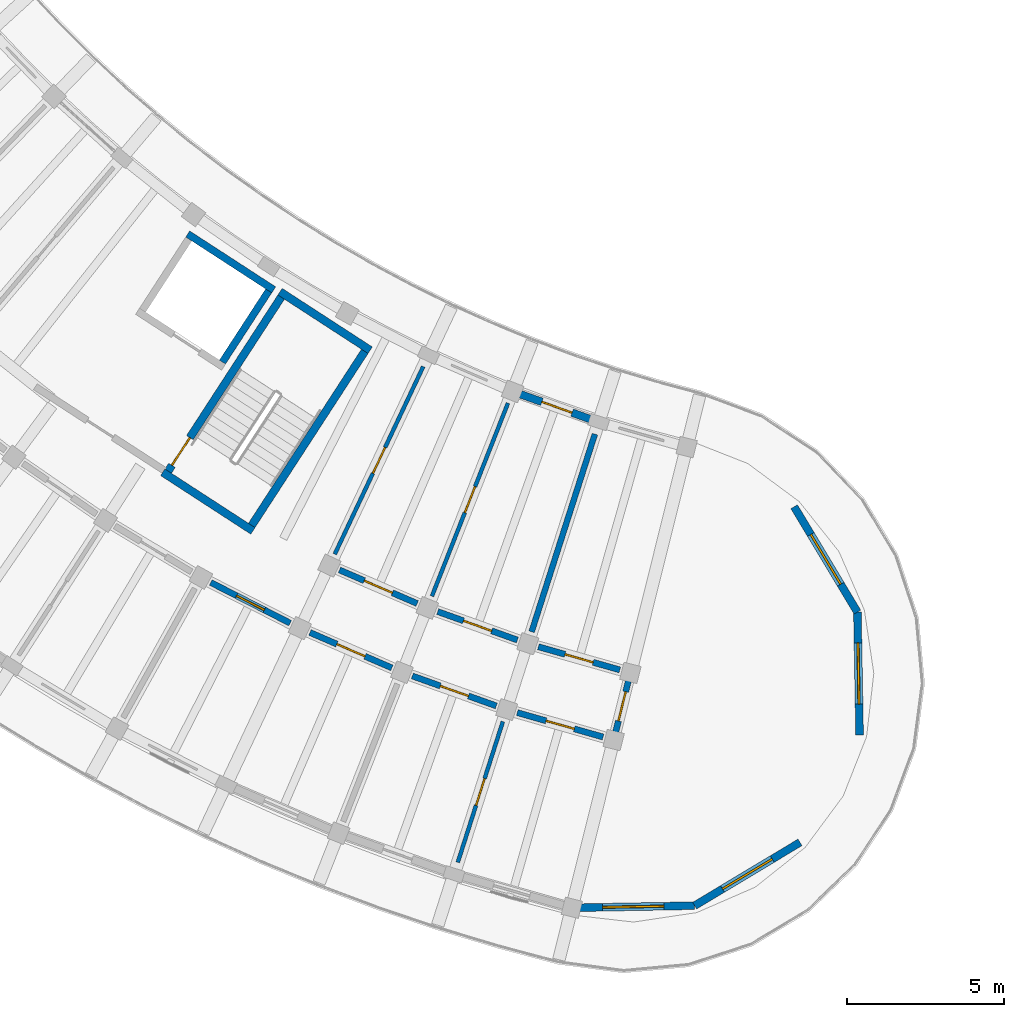
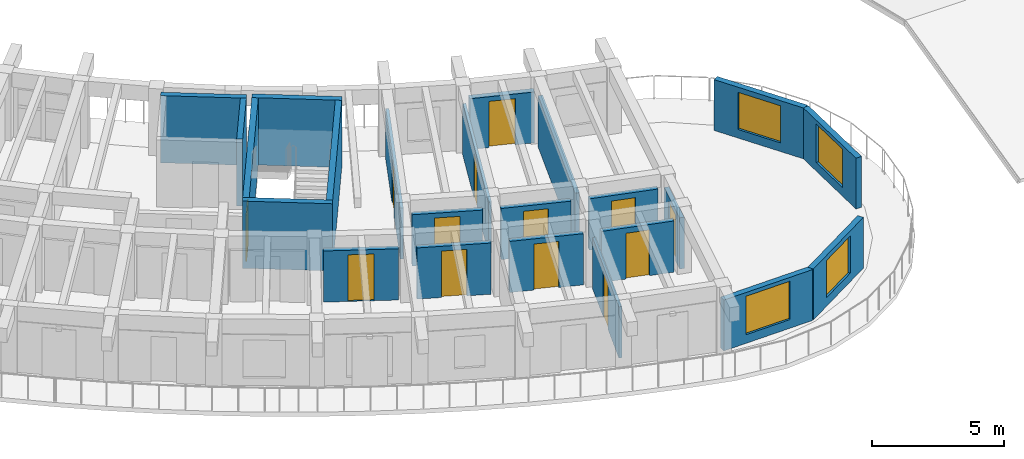
# One storey, part 42 of 81: 23 walls, 13 doors, 4 windows, 17 openings.
"""IFC4 building model written with IfcOpenShell, lengths in metres."""

from ifc_helpers import new_model, si_unit, direction, frame, frame_2d, origin, place, context, subcontext, project, spatial, rectangle, extrude, material, layer, layer_set, type_object, element, fill, save


model = new_model("IFC4")

# Units and contexts
model_context = context("Model", 3, precision=1e-05, world=origin(), true_north=direction((0.0, 1.0)))
body_context = subcontext(model_context, "Body", "Model", "MODEL_VIEW")
ifc_project = project(units=[si_unit("LENGTHUNIT", "METRE"), si_unit("AREAUNIT", "SQUARE_METRE"), si_unit("VOLUMEUNIT", "CUBIC_METRE"), si_unit("PLANEANGLEUNIT", "RADIAN"), si_unit("MASSUNIT", "GRAM", prefix="KILO")], contexts=[model_context])

# Site, building, storey
site_placement = place(None, origin())
site = spatial("IfcSite", under=ifc_project, at=site_placement, CompositionType="ELEMENT")
building_placement = place(site_placement, origin())
building = spatial("IfcBuilding", under=site, at=building_placement, Name="Tanwirah Colonnade Gardens", CompositionType="ELEMENT")
storey_placement = place(building_placement, frame((0.0, 0.0, 8.840087890625)))
storey = spatial("IfcBuildingStorey", under=building, at=storey_placement, Name="L02", CompositionType="ELEMENT", Elevation=8.840087890625)

# Wall, opening, door
ifc_material_1 = material(Name="Limestone architectural precast concrete C40/50", Category="masonry")
ifc_layer_1 = layer(ifc_material_1, 0.2451171875)
ifc_layer_set_1 = layer_set([ifc_layer_1], Name="Limestone architectural precast concrete C40/50")
wall_type_1 = type_object("IfcWallType", Name="EW-PC245", PredefinedType="SOLIDWALL", material=ifc_layer_set_1)
wall_1_placement = place(storey_placement, frame((48.944580078125, 23.05908203125, 0.0), z_axis=(0.0, 0.0, 1.0), x_axis=(0.941892135469, -0.33591547321, 0.0)))
wall_1 = element("IfcWall", 1, at=wall_1_placement, inside=storey, type_object=wall_type_1, Name="Block C L02 IN Precast Facade Wall 14", PredefinedType="SOLIDWALL", context=body_context, shape_type="SweptSolid", body=[
    extrude(rectangle(XDim=2.498779296875, YDim=0.2451171875, at=frame_2d((1.24951171875, 0.0))), origin(), (0.0, 0.0, 1.0), 2.35498046875),
])
opening_1_placement = place(wall_1_placement, frame((0.739501953125, 0.0, 0.0)))
opening_1 = element("IfcOpeningElement", 2, at=opening_1_placement, cuts=wall_1, Name="Opening L02-ED137", PredefinedType="OPENING", context=body_context, shape_type="SweptSolid", body=[
    extrude(rectangle(XDim=1.02001953125, YDim=2.139892578125, at=frame_2d((0.510009765625, 1.06982421875))), frame((0.0, 0.132568359375, 0.0), z_axis=(0.0, -1.0, 0.0), x_axis=(1.0, 0.0, 0.0)), (0.0, 0.0, 1.0), 0.26513671875),
])
ifc_material_2 = material(Name="Bronze aluminium glazed balcony door", Category="aluminium")
door_type_1 = type_object("IfcDoorType", Name="ED-BAL102", OperationType="NOTDEFINED", PredefinedType="DOOR", material=ifc_material_2)
door_1_placement = place(opening_1_placement, origin())
door_1 = element("IfcDoor", 3, at=door_1_placement, inside=storey, type_object=door_type_1, Name="Balcony glazed door L02-ED137", OperationType="SINGLE_SWING_LEFT", OverallHeight=2.139892578125, OverallWidth=1.02001953125, PredefinedType="DOOR", context=body_context, shape_type="SweptSolid", body=[
    extrude(rectangle(XDim=1.02001953125, YDim=2.139892578125, at=frame_2d((0.510009765625, 1.06982421875))), frame((0.0, 0.02490234375, 0.0), z_axis=(0.0, -1.0, 0.0), x_axis=(1.0, 0.0, 0.0)), (0.0, 0.0, 1.0), 0.050048828125),
])
fill(opening_1, door_1)

# Wall, opening, window
wall_2_placement = place(storey_placement, frame((57.664794921875, 19.4755859375, 0.0), z_axis=(0.0, 0.0, 1.0), x_axis=(0.515019321998, -0.857178568309, 0.0)))
wall_2 = element("IfcWall", 4, at=wall_2_placement, inside=storey, type_object=wall_type_1, Name="Block C L02 END Rounded End Wall 1", PredefinedType="SOLIDWALL", context=body_context, shape_type="SweptSolid", body=[
    extrude(rectangle(XDim=3.907958984375, YDim=0.2451171875, at=frame_2d((1.9541015625, 0.0))), origin(), (0.0, 0.0, 1.0), 2.35498046875),
])
opening_2_placement = place(wall_2_placement, frame((1.029052734375, 0.0, 0.39990234375)))
opening_2 = element("IfcOpeningElement", 5, at=opening_2_placement, cuts=wall_2, Name="Opening WIN-END1", PredefinedType="OPENING", context=body_context, shape_type="SweptSolid", body=[
    extrude(rectangle(XDim=1.85009765625, YDim=1.719970703125, at=frame_2d((0.925048828125, 0.85986328125))), frame((0.0, 0.132568359375, 0.0), z_axis=(0.0, -1.0, 0.0), x_axis=(1.0, 0.0, 0.0)), (0.0, 0.0, 1.0), 0.26513671875),
])
ifc_material_3 = material(Name="Thermally broken bronze aluminium and solar low-E double glazing", Category="aluminium")
window_type_1 = type_object("IfcWindowType", Name="WIN-END1", PartitioningType="TRIPLE_PANEL_VERTICAL", PredefinedType="WINDOW", material=ifc_material_3)
window_1_placement = place(opening_2_placement, origin())
window_1 = element("IfcWindow", 6, at=window_1_placement, inside=storey, type_object=window_type_1, Name="Rounded corner window C-L02-END-1", OverallHeight=1.719970703125, OverallWidth=1.85009765625, PartitioningType="SINGLE_PANEL", PredefinedType="WINDOW", context=body_context, shape_type="SweptSolid", body=[
    extrude(rectangle(XDim=1.85009765625, YDim=1.719970703125, at=frame_2d((0.925048828125, 0.85986328125))), frame((0.0, 0.030029296875, 0.0), z_axis=(0.0, -1.0, 0.0), x_axis=(1.0, 0.0, 0.0)), (0.0, 0.0, 1.0), 0.06005859375),
])
fill(opening_2, window_1)

wall_3_placement = place(storey_placement, frame((59.677490234375, 16.125732421875, 0.0), z_axis=(0.0, 0.0, 1.0), x_axis=(0.017490763899, -0.999847024888, 0.0)))
wall_3 = element("IfcWall", 7, at=wall_3_placement, inside=storey, type_object=wall_type_1, Name="Block C L02 END Rounded End Wall 2", PredefinedType="SOLIDWALL", context=body_context, shape_type="SweptSolid", body=[
    extrude(rectangle(XDim=3.908203125, YDim=0.2451171875, at=frame_2d((1.9541015625, 0.0))), origin(), (0.0, 0.0, 1.0), 2.35498046875),
])
opening_3_placement = place(wall_3_placement, frame((0.97900390625, 0.0, 0.39990234375)))
opening_3 = element("IfcOpeningElement", 8, at=opening_3_placement, cuts=wall_3, Name="Opening WIN-END2", PredefinedType="OPENING", context=body_context, shape_type="SweptSolid", body=[
    extrude(rectangle(XDim=1.949951171875, YDim=1.780029296875, at=frame_2d((0.97509765625, 0.89013671875))), frame((0.0, 0.132568359375, 0.0), z_axis=(0.0, -1.0, 0.0), x_axis=(1.0, 0.0, 0.0)), (0.0, 0.0, 1.0), 0.26513671875),
])
window_type_2 = type_object("IfcWindowType", Name="WIN-END2", PartitioningType="TRIPLE_PANEL_VERTICAL", PredefinedType="WINDOW", material=ifc_material_3)
window_2_placement = place(opening_3_placement, origin())
window_2 = element("IfcWindow", 9, at=window_2_placement, inside=storey, type_object=window_type_2, Name="Rounded corner window C-L02-END-2", OverallHeight=1.780029296875, OverallWidth=1.949951171875, PartitioningType="SINGLE_PANEL", PredefinedType="WINDOW", context=body_context, shape_type="SweptSolid", body=[
    extrude(rectangle(XDim=1.949951171875, YDim=1.780029296875, at=frame_2d((0.97509765625, 0.89013671875))), frame((0.0, 0.030029296875, 0.0), z_axis=(0.0, -1.0, 0.0), x_axis=(1.0, 0.0, 0.0)), (0.0, 0.0, 1.0), 0.06005859375),
])
fill(opening_3, window_2)

wall_4_placement = place(storey_placement, frame((57.85107421875, 8.800048828125, 0.0), z_axis=(0.0, 0.0, 1.0), x_axis=(-0.85715098885, -0.515065221417, 0.0)))
wall_4 = element("IfcWall", 10, at=wall_4_placement, inside=storey, type_object=wall_type_1, Name="Block C L02 END Rounded End Wall 4", PredefinedType="SOLIDWALL", context=body_context, shape_type="SweptSolid", body=[
    extrude(rectangle(XDim=3.908203125, YDim=0.2451171875, at=frame_2d((1.9541015625, 0.0))), origin(), (0.0, 0.0, 1.0), 2.35498046875),
])
opening_4_placement = place(wall_4_placement, frame((1.029052734375, 0.0, 0.39990234375)))
opening_4 = element("IfcOpeningElement", 11, at=opening_4_placement, cuts=wall_4, Name="Opening WIN-END1", PredefinedType="OPENING", context=body_context, shape_type="SweptSolid", body=[
    extrude(rectangle(XDim=1.85009765625, YDim=1.719970703125, at=frame_2d((0.925048828125, 0.85986328125))), frame((0.0, 0.132568359375, 0.0), z_axis=(0.0, -1.0, 0.0), x_axis=(1.0, 0.0, 0.0)), (0.0, 0.0, 1.0), 0.26513671875),
])
window_3_placement = place(opening_4_placement, origin())
window_3 = element("IfcWindow", 12, at=window_3_placement, inside=storey, type_object=window_type_1, Name="Rounded corner window C-L02-END-4", OverallHeight=1.719970703125, OverallWidth=1.85009765625, PartitioningType="SINGLE_PANEL", PredefinedType="WINDOW", context=body_context, shape_type="SweptSolid", body=[
    extrude(rectangle(XDim=1.85009765625, YDim=1.719970703125, at=frame_2d((0.925048828125, 0.85986328125))), frame((0.0, 0.030029296875, 0.0), z_axis=(0.0, -1.0, 0.0), x_axis=(1.0, 0.0, 0.0)), (0.0, 0.0, 1.0), 0.06005859375),
])
fill(opening_4, window_3)

wall_5_placement = place(storey_placement, frame((54.501220703125, 6.787109375, 0.0), z_axis=(0.0, 0.0, 1.0), x_axis=(-0.999848115368, -0.017428315893, 0.0)))
wall_5 = element("IfcWall", 13, at=wall_5_placement, inside=storey, type_object=wall_type_1, Name="Block C L02 END Rounded End Wall 5", PredefinedType="SOLIDWALL", context=body_context, shape_type="SweptSolid", body=[
    extrude(rectangle(XDim=3.908203125, YDim=0.2451171875, at=frame_2d((1.9541015625, 0.0))), origin(), (0.0, 0.0, 1.0), 2.35498046875),
])
opening_5_placement = place(wall_5_placement, frame((0.97900390625, 0.0, 0.39990234375)))
opening_5 = element("IfcOpeningElement", 14, at=opening_5_placement, cuts=wall_5, Name="Opening WIN-END2", PredefinedType="OPENING", context=body_context, shape_type="SweptSolid", body=[
    extrude(rectangle(XDim=1.949951171875, YDim=1.780029296875, at=frame_2d((0.97509765625, 0.89013671875))), frame((0.0, 0.132568359375, 0.0), z_axis=(0.0, -1.0, 0.0), x_axis=(1.0, 0.0, 0.0)), (0.0, 0.0, 1.0), 0.26513671875),
])
window_4_placement = place(opening_5_placement, origin())
window_4 = element("IfcWindow", 15, at=window_4_placement, inside=storey, type_object=window_type_2, Name="Rounded corner window C-L02-END-5", OverallHeight=1.780029296875, OverallWidth=1.949951171875, PartitioningType="SINGLE_PANEL", PredefinedType="WINDOW", context=body_context, shape_type="SweptSolid", body=[
    extrude(rectangle(XDim=1.949951171875, YDim=1.780029296875, at=frame_2d((0.97509765625, 0.89013671875))), frame((0.0, 0.030029296875, 0.0), z_axis=(0.0, -1.0, 0.0), x_axis=(1.0, 0.0, 0.0)), (0.0, 0.0, 1.0), 0.06005859375),
])
fill(opening_5, window_4)

# Wall, opening, door
ifc_material_4 = material(Name="Precast concrete C40/50", Category="concrete")
ifc_layer_2 = layer(ifc_material_4, 0.195068359375)
ifc_layer_set_2 = layer_set([ifc_layer_2], Name="Precast concrete C40/50")
wall_type_2 = type_object("IfcWallType", Name="IW-CORR195", PredefinedType="PARTITIONING", material=ifc_layer_set_2)
wall_6_placement = place(storey_placement, frame((39.107421875, 17.067138671875, 0.0), z_axis=(0.0, 0.0, 1.0), x_axis=(0.890030590607, -0.45590080915, 0.0)))
wall_6 = element("IfcWall", 16, at=wall_6_placement, inside=storey, type_object=wall_type_2, Name="Block C L02 OUT Corridor Wall 12", PredefinedType="PARTITIONING", context=body_context, shape_type="SweptSolid", body=[
    extrude(rectangle(XDim=2.837158203125, YDim=0.195068359375, at=frame_2d((1.41845703125, 0.0))), origin(), (0.0, 0.0, 1.0), 2.369873046875),
])
opening_6_placement = place(wall_6_placement, frame((0.923583984375, 0.0, 0.0)))
opening_6 = element("IfcOpeningElement", 17, at=opening_6_placement, cuts=wall_6, Name="Opening L02-AD1379", PredefinedType="OPENING", context=body_context, shape_type="SweptSolid", body=[
    extrude(rectangle(XDim=0.989990234375, YDim=2.159912109375, at=frame_2d((0.4951171875, 1.080078125))), frame((0.0, 0.107421875, 0.0), z_axis=(0.0, -1.0, 0.0), x_axis=(1.0, 0.0, 0.0)), (0.0, 0.0, 1.0), 0.215087890625),
])
ifc_material_5 = material(Name="Solid oak fire-resisting apartment entrance door")
door_type_2 = type_object("IfcDoorType", Name="ID-FLT099", OperationType="NOTDEFINED", PredefinedType="DOOR", material=ifc_material_5)
door_2_placement = place(opening_6_placement, origin())
door_2 = element("IfcDoor", 18, at=door_2_placement, inside=storey, type_object=door_type_2, Name="Apartment corridor door L02-AD1379", OperationType="SINGLE_SWING_LEFT", OverallHeight=2.159912109375, OverallWidth=0.989990234375, PredefinedType="DOOR", context=body_context, shape_type="SweptSolid", body=[
    extrude(rectangle(XDim=0.989990234375, YDim=2.159912109375, at=frame_2d((0.4951171875, 1.080078125))), frame((0.0, 0.02490234375, 0.0), z_axis=(0.0, -1.0, 0.0), x_axis=(1.0, 0.0, 0.0)), (0.0, 0.0, 1.0), 0.050048828125),
])
fill(opening_6, door_2)

wall_7_placement = place(storey_placement, frame((42.26513671875, 15.475341796875, 0.0), z_axis=(0.0, 0.0, 1.0), x_axis=(0.917943439406, -0.396711282991, 0.0)))
wall_7 = element("IfcWall", 19, at=wall_7_placement, inside=storey, type_object=wall_type_2, Name="Block C L02 OUT Corridor Wall 13", PredefinedType="PARTITIONING", context=body_context, shape_type="SweptSolid", body=[
    extrude(rectangle(XDim=2.837158203125, YDim=0.195068359375, at=frame_2d((1.41845703125, 0.0))), origin(), (0.0, 0.0, 1.0), 2.369873046875),
])
opening_7_placement = place(wall_7_placement, frame((0.93359375, 0.0, 0.0)))
opening_7 = element("IfcOpeningElement", 20, at=opening_7_placement, cuts=wall_7, Name="Opening L02-AD1381", PredefinedType="OPENING", context=body_context, shape_type="SweptSolid", body=[
    extrude(rectangle(XDim=0.969970703125, YDim=2.14990234375, at=frame_2d((0.48486328125, 1.074951171875))), frame((0.0, 0.107421875, 0.0), z_axis=(0.0, -1.0, 0.0), x_axis=(1.0, 0.0, 0.0)), (0.0, 0.0, 1.0), 0.215087890625),
])
door_type_3 = type_object("IfcDoorType", Name="ID-FLT097", OperationType="NOTDEFINED", PredefinedType="DOOR", material=ifc_material_5)
door_3_placement = place(opening_7_placement, origin())
door_3 = element("IfcDoor", 21, at=door_3_placement, inside=storey, type_object=door_type_3, Name="Apartment corridor door L02-AD1381", OperationType="SINGLE_SWING_RIGHT", OverallHeight=2.14990234375, OverallWidth=0.969970703125, PredefinedType="DOOR", context=body_context, shape_type="SweptSolid", body=[
    extrude(rectangle(XDim=0.969970703125, YDim=2.14990234375, at=frame_2d((0.48486328125, 1.074951171875))), frame((0.0, 0.02490234375, 0.0), z_axis=(0.0, -1.0, 0.0), x_axis=(1.0, 0.0, 0.0)), (0.0, 0.0, 1.0), 0.050048828125),
])
fill(opening_7, door_3)

wall_8_placement = place(storey_placement, frame((43.20361328125, 17.465087890625, 0.0), z_axis=(0.0, 0.0, 1.0), x_axis=(0.91793557165, -0.39672948756, 0.0)))
wall_8 = element("IfcWall", 22, at=wall_8_placement, inside=storey, type_object=wall_type_2, Name="Block C L02 IN Corridor Wall 13", PredefinedType="PARTITIONING", context=body_context, shape_type="SweptSolid", body=[
    extrude(rectangle(XDim=2.69287109375, YDim=0.195068359375, at=frame_2d((1.346435546875, 0.0))), origin(), (0.0, 0.0, 1.0), 2.369873046875),
])
opening_8_placement = place(wall_8_placement, frame((0.861572265625, 0.0, 0.0)))
opening_8 = element("IfcOpeningElement", 23, at=opening_8_placement, cuts=wall_8, Name="Opening L02-AD1382", PredefinedType="OPENING", context=body_context, shape_type="SweptSolid", body=[
    extrude(rectangle(XDim=0.969970703125, YDim=2.14990234375, at=frame_2d((0.48486328125, 1.074951171875))), frame((0.0, 0.107421875, 0.0), z_axis=(0.0, -1.0, 0.0), x_axis=(1.0, 0.0, 0.0)), (0.0, 0.0, 1.0), 0.215087890625),
])
door_4_placement = place(opening_8_placement, origin())
door_4 = element("IfcDoor", 24, at=door_4_placement, inside=storey, type_object=door_type_3, Name="Apartment corridor door L02-AD1382", OperationType="SINGLE_SWING_LEFT", OverallHeight=2.14990234375, OverallWidth=0.969970703125, PredefinedType="DOOR", context=body_context, shape_type="SweptSolid", body=[
    extrude(rectangle(XDim=0.969970703125, YDim=2.14990234375, at=frame_2d((0.48486328125, 1.074951171875))), frame((0.0, 0.02490234375, 0.0), z_axis=(0.0, -1.0, 0.0), x_axis=(1.0, 0.0, 0.0)), (0.0, 0.0, 1.0), 0.050048828125),
])
fill(opening_8, door_4)

wall_9_placement = place(storey_placement, frame((45.520263671875, 14.09326171875, 0.0), z_axis=(0.0, 0.0, 1.0), x_axis=(0.941930628611, -0.335807520589, 0.0)))
wall_9 = element("IfcWall", 25, at=wall_9_placement, inside=storey, type_object=wall_type_2, Name="Block C L02 OUT Corridor Wall 14", PredefinedType="PARTITIONING", context=body_context, shape_type="SweptSolid", body=[
    extrude(rectangle(XDim=2.8369140625, YDim=0.195068359375, at=frame_2d((1.41845703125, 0.0))), origin(), (0.0, 0.0, 1.0), 2.369873046875),
])
opening_9_placement = place(wall_9_placement, frame((0.943603515625, 0.0, 0.0)))
opening_9 = element("IfcOpeningElement", 26, at=opening_9_placement, cuts=wall_9, Name="Opening L02-AD1384", PredefinedType="OPENING", context=body_context, shape_type="SweptSolid", body=[
    extrude(rectangle(XDim=0.949951171875, YDim=2.1298828125, at=frame_2d((0.47509765625, 1.06494140625))), frame((0.0, 0.107421875, 0.0), z_axis=(0.0, -1.0, 0.0), x_axis=(1.0, 0.0, 0.0)), (0.0, 0.0, 1.0), 0.215087890625),
])
door_type_4 = type_object("IfcDoorType", Name="ID-FLT095", OperationType="NOTDEFINED", PredefinedType="DOOR", material=ifc_material_5)
door_5_placement = place(opening_9_placement, origin())
door_5 = element("IfcDoor", 27, at=door_5_placement, inside=storey, type_object=door_type_4, Name="Apartment corridor door L02-AD1384", OperationType="SINGLE_SWING_LEFT", OverallHeight=2.1298828125, OverallWidth=0.949951171875, PredefinedType="DOOR", context=body_context, shape_type="SweptSolid", body=[
    extrude(rectangle(XDim=0.949951171875, YDim=2.1298828125, at=frame_2d((0.47509765625, 1.06494140625))), frame((0.0, 0.02490234375, 0.0), z_axis=(0.0, -1.0, 0.0), x_axis=(1.0, 0.0, 0.0)), (0.0, 0.0, 1.0), 0.050048828125),
])
fill(opening_9, door_5)

wall_10_placement = place(storey_placement, frame((46.32666015625, 16.140380859375, 0.0), z_axis=(0.0, 0.0, 1.0), x_axis=(0.941895652647, -0.335905611036, 0.0)))
wall_10 = element("IfcWall", 28, at=wall_10_placement, inside=storey, type_object=wall_type_2, Name="Block C L02 IN Corridor Wall 14", PredefinedType="PARTITIONING", context=body_context, shape_type="SweptSolid", body=[
    extrude(rectangle(XDim=2.69287109375, YDim=0.195068359375, at=frame_2d((1.346435546875, 0.0))), origin(), (0.0, 0.0, 1.0), 2.369873046875),
])
opening_10_placement = place(wall_10_placement, frame((0.87158203125, 0.0, 0.0)))
opening_10 = element("IfcOpeningElement", 29, at=opening_10_placement, cuts=wall_10, Name="Opening L02-AD1385", PredefinedType="OPENING", context=body_context, shape_type="SweptSolid", body=[
    extrude(rectangle(XDim=0.949951171875, YDim=2.1298828125, at=frame_2d((0.47509765625, 1.06494140625))), frame((0.0, 0.107421875, 0.0), z_axis=(0.0, -1.0, 0.0), x_axis=(1.0, 0.0, 0.0)), (0.0, 0.0, 1.0), 0.215087890625),
])
door_6_placement = place(opening_10_placement, origin())
door_6 = element("IfcDoor", 30, at=door_6_placement, inside=storey, type_object=door_type_4, Name="Apartment corridor door L02-AD1385", OperationType="SINGLE_SWING_RIGHT", OverallHeight=2.1298828125, OverallWidth=0.949951171875, PredefinedType="DOOR", context=body_context, shape_type="SweptSolid", body=[
    extrude(rectangle(XDim=0.949951171875, YDim=2.1298828125, at=frame_2d((0.47509765625, 1.06494140625))), frame((0.0, 0.02490234375, 0.0), z_axis=(0.0, -1.0, 0.0), x_axis=(1.0, 0.0, 0.0)), (0.0, 0.0, 1.0), 0.050048828125),
])
fill(opening_10, door_6)

wall_11_placement = place(storey_placement, frame((48.858642578125, 12.92724609375, 0.0), z_axis=(0.0, 0.0, 1.0), x_axis=(0.961873892319, -0.273493355085, 0.0)))
wall_11 = element("IfcWall", 31, at=wall_11_placement, inside=storey, type_object=wall_type_2, Name="Block C L02 OUT Corridor Wall 15", PredefinedType="PARTITIONING", context=body_context, shape_type="SweptSolid", body=[
    extrude(rectangle(XDim=2.8369140625, YDim=0.195068359375, at=frame_2d((1.41845703125, 0.0))), origin(), (0.0, 0.0, 1.0), 2.369873046875),
])
opening_11_placement = place(wall_11_placement, frame((0.95361328125, 0.0, 0.0)))
opening_11 = element("IfcOpeningElement", 32, at=opening_11_placement, cuts=wall_11, Name="Opening L02-AD1387", PredefinedType="OPENING", context=body_context, shape_type="SweptSolid", body=[
    extrude(rectangle(XDim=0.929931640625, YDim=2.1201171875, at=frame_2d((0.46484375, 1.06005859375))), frame((0.0, 0.107421875, 0.0), z_axis=(0.0, -1.0, 0.0), x_axis=(1.0, 0.0, 0.0)), (0.0, 0.0, 1.0), 0.215087890625),
])
door_type_5 = type_object("IfcDoorType", Name="ID-FLT093", OperationType="NOTDEFINED", PredefinedType="DOOR", material=ifc_material_5)
door_7_placement = place(opening_11_placement, origin())
door_7 = element("IfcDoor", 33, at=door_7_placement, inside=storey, type_object=door_type_5, Name="Apartment corridor door L02-AD1387", OperationType="SINGLE_SWING_RIGHT", OverallHeight=2.1201171875, OverallWidth=0.929931640625, PredefinedType="DOOR", context=body_context, shape_type="SweptSolid", body=[
    extrude(rectangle(XDim=0.929931640625, YDim=2.1201171875, at=frame_2d((0.46484375, 1.06005859375))), frame((0.0, 0.02490234375, 0.0), z_axis=(0.0, -1.0, 0.0), x_axis=(1.0, 0.0, 0.0)), (0.0, 0.0, 1.0), 0.050048828125),
])
fill(opening_11, door_7)

wall_12_placement = place(storey_placement, frame((49.529541015625, 15.0224609375, 0.0), z_axis=(0.0, 0.0, 1.0), x_axis=(0.961861926514, -0.273535435224, 0.0)))
wall_12 = element("IfcWall", 34, at=wall_12_placement, inside=storey, type_object=wall_type_2, Name="Block C L02 IN Corridor Wall 15", PredefinedType="PARTITIONING", context=body_context, shape_type="SweptSolid", body=[
    extrude(rectangle(XDim=2.69287109375, YDim=0.195068359375, at=frame_2d((1.346435546875, 0.0))), origin(), (0.0, 0.0, 1.0), 2.369873046875),
])
opening_12_placement = place(wall_12_placement, frame((0.881591796875, 0.0, 0.0)))
opening_12 = element("IfcOpeningElement", 35, at=opening_12_placement, cuts=wall_12, Name="Opening L02-AD1388", PredefinedType="OPENING", context=body_context, shape_type="SweptSolid", body=[
    extrude(rectangle(XDim=0.929931640625, YDim=2.1201171875, at=frame_2d((0.46484375, 1.06005859375))), frame((0.0, 0.107421875, 0.0), z_axis=(0.0, -1.0, 0.0), x_axis=(1.0, 0.0, 0.0)), (0.0, 0.0, 1.0), 0.215087890625),
])
door_8_placement = place(opening_12_placement, origin())
door_8 = element("IfcDoor", 36, at=door_8_placement, inside=storey, type_object=door_type_5, Name="Apartment corridor door L02-AD1388", OperationType="SINGLE_SWING_LEFT", OverallHeight=2.1201171875, OverallWidth=0.929931640625, PredefinedType="DOOR", context=body_context, shape_type="SweptSolid", body=[
    extrude(rectangle(XDim=0.929931640625, YDim=2.1201171875, at=frame_2d((0.46484375, 1.06005859375))), frame((0.0, 0.02490234375, 0.0), z_axis=(0.0, -1.0, 0.0), x_axis=(1.0, 0.0, 0.0)), (0.0, 0.0, 1.0), 0.050048828125),
])
fill(opening_12, door_8)

wall_13_placement = place(storey_placement, frame((52.4443359375, 14.1416015625, 0.0), z_axis=(0.0, 0.0, 1.0), x_axis=(-0.241933770084, -0.970292765557, 0.0)))
wall_13 = element("IfcWall", 37, at=wall_13_placement, inside=storey, type_object=wall_type_2, Name="Block C L02 CE Corner Suite Corridor Wall", PredefinedType="PARTITIONING", context=body_context, shape_type="SweptSolid", body=[
    extrude(rectangle(XDim=2.10009765625, YDim=0.195068359375, at=frame_2d((1.050048828125, 0.0))), origin(), (0.0, 0.0, 1.0), 2.369873046875),
])
opening_13_placement = place(wall_13_placement, frame((0.570068359375, 0.0, 0.0)))
opening_13 = element("IfcOpeningElement", 38, at=opening_13_placement, cuts=wall_13, Name="Opening L02-CD1390", PredefinedType="OPENING", context=body_context, shape_type="SweptSolid", body=[
    extrude(rectangle(XDim=0.949951171875, YDim=2.1298828125, at=frame_2d((0.47509765625, 1.06494140625))), frame((0.0, 0.107421875, 0.0), z_axis=(0.0, -1.0, 0.0), x_axis=(1.0, 0.0, 0.0)), (0.0, 0.0, 1.0), 0.215087890625),
])
door_9_placement = place(opening_13_placement, origin())
door_9 = element("IfcDoor", 39, at=door_9_placement, inside=storey, type_object=door_type_4, Name="Corner suite entrance door L02-CD1390", OperationType="SINGLE_SWING_RIGHT", OverallHeight=2.1298828125, OverallWidth=0.949951171875, PredefinedType="DOOR", context=body_context, shape_type="SweptSolid", body=[
    extrude(rectangle(XDim=0.949951171875, YDim=2.1298828125, at=frame_2d((0.47509765625, 1.06494140625))), frame((0.0, 0.02490234375, 0.0), z_axis=(0.0, -1.0, 0.0), x_axis=(1.0, 0.0, 0.0)), (0.0, 0.0, 1.0), 0.050048828125),
])
fill(opening_13, door_9)

# Wall
ifc_layer_3 = layer(ifc_material_4, 0.18505859375)
ifc_layer_set_3 = layer_set([ifc_layer_3], Name="Precast concrete C40/50")
wall_type_3 = type_object("IfcWallType", Name="IW-DEM185", PredefinedType="PARTITIONING", material=ifc_layer_set_3)
wall_14_placement = place(storey_placement, frame((51.326904296875, 21.78515625, 0.0), z_axis=(0.0, 0.0, 1.0), x_axis=(-0.304875046605, -0.95239235925, 0.0)))
element("IfcWall", 40, at=wall_14_placement, inside=storey, type_object=wall_type_3, Name="Block C L02 Inner Radial Partition 14", PredefinedType="PARTITIONING", context=body_context, shape_type="SweptSolid", body=[
    extrude(rectangle(XDim=6.60009765625, YDim=0.18505859375, at=frame_2d((3.300048828125, 0.0))), origin(), (0.0, 0.0, 1.0), 2.369873046875),
])

# Wall, opening, door
ifc_material_6 = material(Name="Moisture-resistant gypsum stud partition")
ifc_layer_4 = layer(ifc_material_6, 0.125)
ifc_layer_set_4 = layer_set([ifc_layer_4], Name="Moisture-resistant gypsum stud partition")
wall_type_4 = type_object("IfcWallType", Name="IW-INT125", PredefinedType="PARTITIONING", material=ifc_layer_set_4)
wall_15_placement = place(storey_placement, frame((45.868408203125, 23.935302734375, 0.0), z_axis=(0.0, 0.0, 1.0), x_axis=(-0.426573573579, -0.904452865728, 0.0)))
wall_15 = element("IfcWall", 41, at=wall_15_placement, inside=storey, type_object=wall_type_4, Name="Block C L02 Inner Radial Partition 12", PredefinedType="PARTITIONING", context=body_context, shape_type="SweptSolid", body=[
    extrude(rectangle(XDim=6.60009765625, YDim=0.125, at=frame_2d((3.300048828125, 0.0))), origin(), (0.0, 0.0, 1.0), 2.369873046875),
])
opening_14_placement = place(wall_15_placement, frame((2.844970703125, 0.0, 0.0)))
opening_14 = element("IfcOpeningElement", 42, at=opening_14_placement, cuts=wall_15, Name="Opening L02-RD1380", PredefinedType="OPENING", context=body_context, shape_type="SweptSolid", body=[
    extrude(rectangle(XDim=0.909912109375, YDim=2.10009765625, at=frame_2d((0.455078125, 1.050048828125))), frame((0.0, 0.072509765625, 0.0), z_axis=(0.0, -1.0, 0.0), x_axis=(1.0, 0.0, 0.0)), (0.0, 0.0, 1.0), 0.14501953125),
])
ifc_material_7 = material(Name="Painted hardwood internal room door", Category="wood")
door_type_6 = type_object("IfcDoorType", Name="ID-RM091", OperationType="NOTDEFINED", PredefinedType="DOOR", material=ifc_material_7)
door_10_placement = place(opening_14_placement, origin())
door_10 = element("IfcDoor", 43, at=door_10_placement, inside=storey, type_object=door_type_6, Name="Internal apartment door L02-RD1380", OperationType="SINGLE_SWING_RIGHT", OverallHeight=2.10009765625, OverallWidth=0.909912109375, PredefinedType="DOOR", context=body_context, shape_type="SweptSolid", body=[
    extrude(rectangle(XDim=0.909912109375, YDim=2.10009765625, at=frame_2d((0.455078125, 1.050048828125))), frame((0.0, 0.02490234375, 0.0), z_axis=(0.0, -1.0, 0.0), x_axis=(1.0, 0.0, 0.0)), (0.0, 0.0, 1.0), 0.050048828125),
])
fill(opening_14, door_10)

wall_16_placement = place(storey_placement, frame((48.5625, 22.770751953125, 0.0), z_axis=(0.0, 0.0, 1.0), x_axis=(-0.366512873936, -0.930412979939, 0.0)))
wall_16 = element("IfcWall", 44, at=wall_16_placement, inside=storey, type_object=wall_type_4, Name="Block C L02 Inner Radial Partition 13", PredefinedType="PARTITIONING", context=body_context, shape_type="SweptSolid", body=[
    extrude(rectangle(XDim=6.599853515625, YDim=0.125, at=frame_2d((3.2998046875, 0.0))), origin(), (0.0, 0.0, 1.0), 2.369873046875),
])
opening_15_placement = place(wall_16_placement, frame((2.85498046875, 0.0, 0.0)))
opening_15 = element("IfcOpeningElement", 45, at=opening_15_placement, cuts=wall_16, Name="Opening L02-RD1383", PredefinedType="OPENING", context=body_context, shape_type="SweptSolid", body=[
    extrude(rectangle(XDim=0.889892578125, YDim=2.10009765625, at=frame_2d((0.44482421875, 1.050048828125))), frame((0.0, 0.072509765625, 0.0), z_axis=(0.0, -1.0, 0.0), x_axis=(1.0, 0.0, 0.0)), (0.0, 0.0, 1.0), 0.14501953125),
])
ifc_material_8 = material(Name="Painted hardwood bedroom door", Category="wood")
door_type_7 = type_object("IfcDoorType", Name="ID-RM089", OperationType="NOTDEFINED", PredefinedType="DOOR", material=ifc_material_8)
door_11_placement = place(opening_15_placement, origin())
door_11 = element("IfcDoor", 46, at=door_11_placement, inside=storey, type_object=door_type_7, Name="Internal apartment door L02-RD1383", OperationType="SINGLE_SWING_LEFT", OverallHeight=2.10009765625, OverallWidth=0.889892578125, PredefinedType="DOOR", context=body_context, shape_type="SweptSolid", body=[
    extrude(rectangle(XDim=0.889892578125, YDim=2.10009765625, at=frame_2d((0.44482421875, 1.050048828125))), frame((0.0, 0.02490234375, 0.0), z_axis=(0.0, -1.0, 0.0), x_axis=(1.0, 0.0, 0.0)), (0.0, 0.0, 1.0), 0.050048828125),
])
fill(opening_15, door_11)

wall_17_placement = place(storey_placement, frame((48.400146484375, 12.64208984375, 0.0), z_axis=(0.0, 0.0, 1.0), x_axis=(-0.304860540454, -0.952397002764, 0.0)))
wall_17 = element("IfcWall", 47, at=wall_17_placement, inside=storey, type_object=wall_type_4, Name="Block C L02 Radial Partition 14", PredefinedType="PARTITIONING", context=body_context, shape_type="SweptSolid", body=[
    extrude(rectangle(XDim=4.699951171875, YDim=0.125, at=frame_2d((2.35009765625, 0.0))), origin(), (0.0, 0.0, 1.0), 2.369873046875),
])
opening_16_placement = place(wall_17_placement, frame((1.905029296875, 0.0, 0.0)))
opening_16 = element("IfcOpeningElement", 48, at=opening_16_placement, cuts=wall_17, Name="Opening L02-RD1386", PredefinedType="OPENING", context=body_context, shape_type="SweptSolid", body=[
    extrude(rectangle(XDim=0.889892578125, YDim=2.10009765625, at=frame_2d((0.44482421875, 1.050048828125))), frame((0.0, 0.072509765625, 0.0), z_axis=(0.0, -1.0, 0.0), x_axis=(1.0, 0.0, 0.0)), (0.0, 0.0, 1.0), 0.14501953125),
])
door_12_placement = place(opening_16_placement, origin())
door_12 = element("IfcDoor", 49, at=door_12_placement, inside=storey, type_object=door_type_7, Name="Internal apartment door L02-RD1386", OperationType="SINGLE_SWING_LEFT", OverallHeight=2.10009765625, OverallWidth=0.889892578125, PredefinedType="DOOR", context=body_context, shape_type="SweptSolid", body=[
    extrude(rectangle(XDim=0.889892578125, YDim=2.10009765625, at=frame_2d((0.44482421875, 1.050048828125))), frame((0.0, 0.02490234375, 0.0), z_axis=(0.0, -1.0, 0.0), x_axis=(1.0, 0.0, 0.0)), (0.0, 0.0, 1.0), 0.050048828125),
])
fill(opening_16, door_12)

# Walls
ifc_material_9 = material(Name="Concrete C45/55", Category="concrete")
ifc_layer_5 = layer(ifc_material_9, 0.25)
ifc_layer_set_5 = layer_set([ifc_layer_5], Name="Concrete C45/55")
wall_type_5 = type_object("IfcWallType", Name="SW-CORE250", PredefinedType="SHEAR", material=ifc_layer_set_5)
wall_18_placement = place(storey_placement, frame((40.412841796875, 18.881591796875, 0.0), z_axis=(0.0, 0.0, 1.0), x_axis=(0.544629435258, 0.838676802022, 0.0)))
element("IfcWall", 50, at=wall_18_placement, inside=storey, type_object=wall_type_5, Name="CORE-C2 L02 Stair Shaft Shear Wall LEFT", PredefinedType="SHEAR", context=body_context, shape_type="SweptSolid", body=[
    extrude(rectangle(XDim=6.599853515625, YDim=0.25, at=frame_2d((3.2998046875, 0.0))), origin(), (0.0, 0.0, 1.0), 3.10986328125),
])
wall_19_placement = place(storey_placement, frame((44.180419921875, 24.45361328125, 0.0), z_axis=(0.0, 0.0, 1.0), x_axis=(-0.838699580527, 0.544594356953, 0.0)))
element("IfcWall", 51, at=wall_19_placement, inside=storey, type_object=wall_type_5, Name="CORE-C2 L02 Stair Shaft Shear Wall FAR", PredefinedType="SHEAR", context=body_context, shape_type="SweptSolid", body=[
    extrude(rectangle(XDim=3.420166015625, YDim=0.25, at=frame_2d((1.7099609375, 0.0))), origin(), (0.0, 0.0, 1.0), 3.10986328125),
])
wall_20_placement = place(storey_placement, frame((40.449462890625, 18.708740234375, 0.0), z_axis=(0.0, 0.0, 1.0), x_axis=(-0.838678407117, 0.544626963559, 0.0)))
element("IfcWall", 52, at=wall_20_placement, inside=storey, type_object=wall_type_5, Name="CORE-C2 L02 Stair Shaft Shear Wall NEAR", PredefinedType="SHEAR", context=body_context, shape_type="SweptSolid", body=[
    extrude(rectangle(XDim=3.419921875, YDim=0.25, at=frame_2d((1.7099609375, 0.0))), origin(), (0.0, 0.0, 1.0), 3.10986328125),
])

# Wall, opening, door
wall_21_placement = place(storey_placement, frame((37.754150390625, 20.608154296875, 0.0), z_axis=(0.0, 0.0, 1.0), x_axis=(0.544655453679, 0.838659905312, 0.0)))
wall_21 = element("IfcWall", 53, at=wall_21_placement, inside=storey, type_object=wall_type_5, Name="CORE-C2 L02 Stair Shaft Shear Wall RIGHT", PredefinedType="SHEAR", context=body_context, shape_type="SweptSolid", body=[
    extrude(rectangle(XDim=6.60009765625, YDim=0.25, at=frame_2d((3.300048828125, 0.0))), origin(), (0.0, 0.0, 1.0), 3.10986328125),
])
opening_17_placement = place(wall_21_placement, frame((0.219970703125, 0.0, 0.0)))
opening_17 = element("IfcOpeningElement", 54, at=opening_17_placement, cuts=wall_21, Name="Opening L02-SD148", PredefinedType="OPENING", context=body_context, shape_type="SweptSolid", body=[
    extrude(rectangle(XDim=1.050048828125, YDim=2.14990234375, at=frame_2d((0.52490234375, 1.074951171875))), frame((0.0, 0.135009765625, 0.0), z_axis=(0.0, -1.0, 0.0), x_axis=(1.0, 0.0, 0.0)), (0.0, 0.0, 1.0), 0.27001953125),
])
ifc_material_10 = material(Name="Steel fire-resisting stair enclosure door", Category="steel")
door_type_8 = type_object("IfcDoorType", Name="ID-ST105", OperationType="NOTDEFINED", PredefinedType="DOOR", material=ifc_material_10)
door_13_placement = place(opening_17_placement, origin())
door_13 = element("IfcDoor", 55, at=door_13_placement, inside=storey, type_object=door_type_8, Name="CORE-C2 L02 Stair Fire Door L02-SD148", OperationType="SINGLE_SWING_LEFT", OverallHeight=2.14990234375, OverallWidth=1.050048828125, PredefinedType="DOOR", context=body_context, shape_type="SweptSolid", body=[
    extrude(rectangle(XDim=1.050048828125, YDim=2.14990234375, at=frame_2d((0.52490234375, 1.074951171875))), frame((0.0, 0.02490234375, 0.0), z_axis=(0.0, -1.0, 0.0), x_axis=(1.0, 0.0, 0.0)), (0.0, 0.0, 1.0), 0.050048828125),
])
fill(opening_17, door_13)

# Walls
ifc_layer_6 = layer(ifc_material_9, 0.22998046875)
ifc_layer_set_6 = layer_set([ifc_layer_6], Name="Concrete C45/55")
wall_type_6 = type_object("IfcWallType", Name="SW-LIFT230", PredefinedType="SHEAR", material=ifc_layer_set_6)
wall_22_placement = place(storey_placement, frame((41.111572265625, 26.374755859375, 0.0), z_axis=(0.0, 0.0, 1.0), x_axis=(-0.838638623546, 0.544688221919, 0.0)))
element("IfcWall", 56, at=wall_22_placement, inside=storey, type_object=wall_type_6, Name="CORE-C2 L02 Lift Shaft Wall BACK", PredefinedType="SHEAR", context=body_context, shape_type="SweptSolid", body=[
    extrude(rectangle(XDim=3.260009765625, YDim=0.22998046875, at=frame_2d((1.6298828125, 0.0))), origin(), (0.0, 0.0, 1.0), 3.10986328125),
])
wall_23_placement = place(storey_placement, frame((39.48193359375, 24.07666015625, 0.0), z_axis=(0.0, 0.0, 1.0), x_axis=(0.544686387605, 0.838639814913, 0.0)))
element("IfcWall", 57, at=wall_23_placement, inside=storey, type_object=wall_type_6, Name="CORE-C2 L02 Lift Shaft Wall SIDEA", PredefinedType="SHEAR", context=body_context, shape_type="SweptSolid", body=[
    extrude(rectangle(XDim=2.7001953125, YDim=0.22998046875, at=frame_2d((1.35009765625, 0.0))), origin(), (0.0, 0.0, 1.0), 3.10986328125),
])

save(model, "model.ifc")
